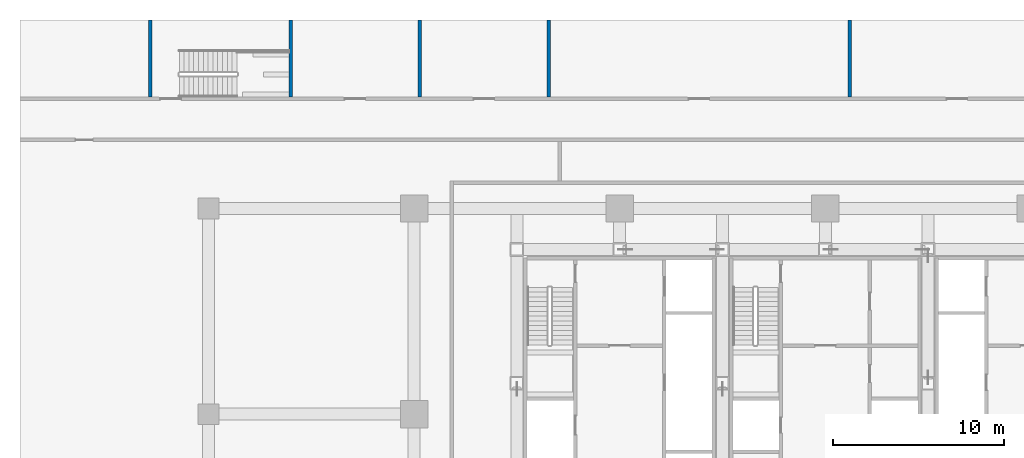
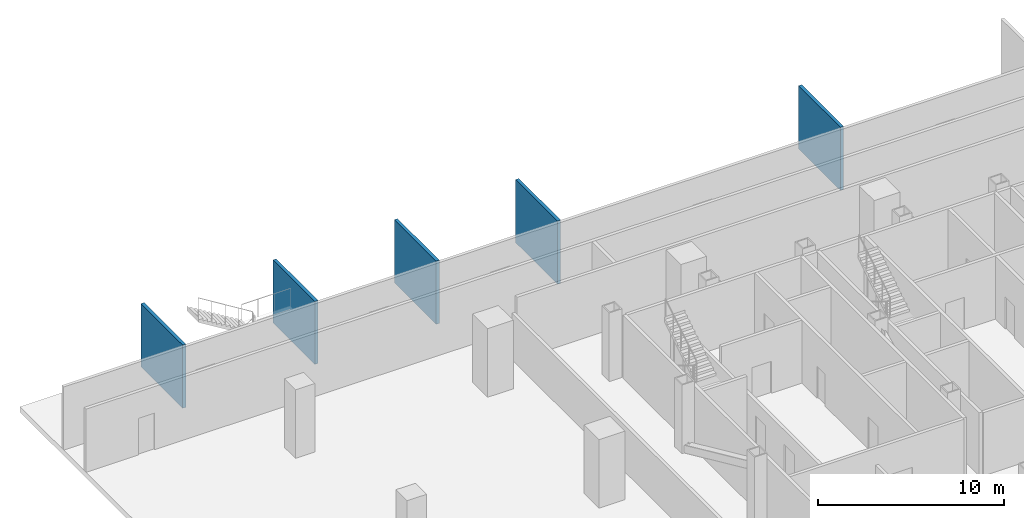
# One storey, part 8 of 15: 5 walls.
"""IFC4 building model written with IfcOpenShell, lengths in metres."""

import ifcopenshell
import ifcopenshell.guid

model = None  # the IFC model being written
_history = None  # IfcOwnerHistory: only IFC2X3 demands one
_inside = {}  # id of a spatial element -> (the spatial element, [elements in it])
_under = {}  # id of a project, library or spatial element -> (it, [spatial elements below it])
_declared = {}  # id of a project -> (the project, [libraries it declares])
_typed = {}  # id of a type object -> (the type object, [elements of that type])
_made_of = {}  # id of a material, layer set ... -> (it, [elements and type objects made of it])


def new_model(schema):
    """Start an empty IFC model of exactly this schema.

    Asked for "IFC4X3", IfcOpenShell would pick the latest addendum, in which some entities
    have other attributes; the version numbers below select the first issue.
    IFC2X3 requires an IfcOwnerHistory on every rooted entity: one is made here for all.
    """
    global model, _history
    if schema == "IFC4X3":
        model = ifcopenshell.file(schema_version=(4, 3, 0, 0))
    else:
        model = ifcopenshell.file(schema=schema)
    _inside.clear()
    _under.clear()
    _declared.clear()
    _typed.clear()
    _made_of.clear()
    _history = None
    if model.schema == "IFC2X3":
        org = make("IfcOrganization", Name="unknown")
        user = make(
            "IfcPersonAndOrganization",
            ThePerson=make("IfcPerson", FamilyName="unknown"),
            TheOrganization=org,
        )
        app = make(
            "IfcApplication",
            ApplicationDeveloper=org,
            Version="unknown",
            ApplicationFullName="unknown",
            ApplicationIdentifier="unknown",
        )
        _history = make(
            "IfcOwnerHistory",
            OwningUser=user,
            OwningApplication=app,
            ChangeAction="ADDED",
            CreationDate=0,
        )
    return model


def make(cls, **values):
    """One entity of the class cls with the attributes given. An attribute that is None is left unset."""
    return model.create_entity(
        cls, **{name: value for name, value in values.items() if value is not None}
    )


def rooted(cls, **values):
    """An entity with a GlobalId (a new one), such as an element, a storey or a relation."""
    return make(cls, GlobalId=ifcopenshell.guid.new(), OwnerHistory=_history, **values)


def si_unit(unit_type, name, prefix=None):
    """IfcSIUnit, for example si_unit("LENGTHUNIT", "METRE", prefix="MILLI")."""
    return make("IfcSIUnit", UnitType=unit_type, Prefix=prefix, Name=name)


def assignment(units):
    """IfcUnitAssignment: the units of a project."""
    return None if units is None else make("IfcUnitAssignment", Units=units)


def point(xyz):
    """IfcCartesianPoint."""
    return None if xyz is None else make("IfcCartesianPoint", Coordinates=xyz)


def direction(xyz):
    """IfcDirection."""
    return None if xyz is None else make("IfcDirection", DirectionRatios=xyz)


def frame(location, z_axis=None, x_axis=None):
    """IfcAxis2Placement3D, a coordinate frame: its origin and axes. An axis left out is left unset."""
    return make(
        "IfcAxis2Placement3D",
        Location=point(location),
        Axis=direction(z_axis),
        RefDirection=direction(x_axis),
    )


def frame_2d(location, x_axis=None):
    """IfcAxis2Placement2D, a coordinate frame in the plane: its origin and x axis."""
    return make(
        "IfcAxis2Placement2D", Location=point(location), RefDirection=direction(x_axis)
    )


def origin():
    """The frame at (0, 0, 0) with its axes left unset."""
    return frame((0.0, 0.0, 0.0))


def place(relative_to, where):
    """IfcLocalPlacement: puts the frame where relative to a parent placement (None: the world)."""
    return make(
        "IfcLocalPlacement", PlacementRelTo=relative_to, RelativePlacement=where
    )


def context(
    kind, dimensions, precision=None, world=None, true_north=None, identifier=None
):
    """IfcGeometricRepresentationContext, for example the 3D "Model" context."""
    return make(
        "IfcGeometricRepresentationContext",
        ContextIdentifier=identifier,
        ContextType=kind,
        CoordinateSpaceDimension=dimensions,
        Precision=precision,
        WorldCoordinateSystem=world,
        TrueNorth=true_north,
    )


def subcontext(parent, identifier, kind, view, scale=None):
    """IfcGeometricRepresentationSubContext, for example "Body" below "Model"."""
    return make(
        "IfcGeometricRepresentationSubContext",
        ContextIdentifier=identifier,
        ContextType=kind,
        ParentContext=parent,
        TargetScale=scale,
        TargetView=view,
    )


def project(units=None, contexts=None):
    """IfcProject with its units and contexts."""
    return rooted(
        "IfcProject",
        Name="project",
        RepresentationContexts=contexts,
        UnitsInContext=assignment(units),
    )


def spatial(cls, under=None, at=None, **own):
    """A site, building, storey or space (cls), placed at a placement, below another one or the project."""
    s = rooted(cls, ObjectPlacement=at, **own)
    if under is not None:
        _under.setdefault(under.id(), (under, []))[1].append(s)
    return s


def profile(cls, at=None, kind="AREA", **sizes):
    """A parametric profile (cls). Its sizes go by their IFC names, for example OverallWidth=200.0."""
    return make(cls, ProfileType=kind, Position=at, **sizes)


def rectangle(**sizes):
    """IfcRectangleProfileDef."""
    return profile("IfcRectangleProfileDef", **sizes)


def extrude(swept, where, along, depth):
    """IfcExtrudedAreaSolid: the profile swept, set in the frame where, extruded along a direction by depth."""
    return make(
        "IfcExtrudedAreaSolid",
        SweptArea=swept,
        Position=where,
        ExtrudedDirection=direction(along),
        Depth=depth,
    )


def shape(context_of_items, identifier, shape_type, items):
    """IfcShapeRepresentation: the items that make up one representation, for example the "Body"."""
    return make(
        "IfcShapeRepresentation",
        ContextOfItems=context_of_items,
        RepresentationIdentifier=identifier,
        RepresentationType=shape_type,
        Items=items,
    )


def material(Name=None, Category=None):
    """IfcMaterial."""
    return make("IfcMaterial", Name=Name, Category=Category)


def layer(
    of_material, thickness, ventilated=None, Name=None, Category=None, Priority=None
):
    """IfcMaterialLayer: one layer of a wall or slab, of a material (None: an air gap)."""
    return make(
        "IfcMaterialLayer",
        Material=of_material,
        LayerThickness=thickness,
        IsVentilated=ventilated,
        Name=Name,
        Category=Category,
        Priority=Priority,
    )


def layer_set(layers, Name=None):
    """IfcMaterialLayerSet."""
    return make("IfcMaterialLayerSet", MaterialLayers=layers, LayerSetName=Name)


def made_of(thing, what):
    """Note that an element or type object is made of a material, layer set ...; save() writes the relation."""
    if what is not None:
        _made_of.setdefault(what.id(), (what, []))[1].append(thing)
    return thing


def type_object(cls, material=None, **own):
    """A type object (cls), such as IfcWallType, which elements share."""
    return made_of(rooted(cls, **own), material)


def element(
    cls,
    number,
    at=None,
    inside=None,
    cuts=None,
    type_object=None,
    material=None,
    context=None,
    identifier="Body",
    shape_type=None,
    held_by="IfcProductDefinitionShape",
    body=None,
    shapes=None,
    **own,
):
    """One element of the class cls, such as IfcWall. Its Tag is "e" and its number.

    at: its placement. inside: the storey or other place that contains it. cuts: it is an
    opening in that element (IfcRelVoidsElement). A single representation is given by context,
    identifier, shape_type and body (its items); several are given by shapes. held_by: the class
    of the entity that holds the representations. save() writes the other relations.
    """
    e = rooted(cls, Tag="e%d" % number, ObjectPlacement=at, **own)
    if body is not None:
        shapes = [shape(context, identifier, shape_type, body)]
    if shapes is not None:
        e.Representation = make(held_by, Representations=shapes)
    if inside is not None:
        _inside.setdefault(inside.id(), (inside, []))[1].append(e)
    if cuts is not None:
        rooted(
            "IfcRelVoidsElement", RelatingBuildingElement=cuts, RelatedOpeningElement=e
        )
    if type_object is not None:
        _typed.setdefault(type_object.id(), (type_object, []))[1].append(e)
    return made_of(e, material)


def aggregate(whole, parts):
    """IfcRelAggregates: a whole, such as a stair, and the parts it consists of."""
    return rooted("IfcRelAggregates", RelatingObject=whole, RelatedObjects=parts)


def save(model, path):
    """Write the relations noted so far, then the file.

    IfcRelAggregates (storeys below a building ...), IfcRelContainedInSpatialStructure (elements
    in a storey), IfcRelDefinesByType, IfcRelAssociatesMaterial and IfcRelDeclares: one each for
    every whole, place, type object, material and project.
    """
    for whole, parts in _under.values():
        aggregate(whole, parts)
    for where, things in _inside.values():
        rooted(
            "IfcRelContainedInSpatialStructure",
            RelatedElements=things,
            RelatingStructure=where,
        )
    for kind, things in _typed.values():
        rooted("IfcRelDefinesByType", RelatedObjects=things, RelatingType=kind)
    for what, things in _made_of.values():
        rooted("IfcRelAssociatesMaterial", RelatedObjects=things, RelatingMaterial=what)
    for by, libraries in _declared.values():
        rooted("IfcRelDeclares", RelatingContext=by, RelatedDefinitions=libraries)
    model.write(path)


model = new_model("IFC4")

# Units and contexts
model_context = context("Model", 3, precision=1e-05, world=origin(), true_north=direction((0.0, 1.0)))
body_context = subcontext(model_context, "Body", "Model", "MODEL_VIEW")
ifc_project = project(units=[si_unit("LENGTHUNIT", "METRE"), si_unit("AREAUNIT", "SQUARE_METRE"), si_unit("VOLUMEUNIT", "CUBIC_METRE"), si_unit("PLANEANGLEUNIT", "RADIAN"), si_unit("MASSUNIT", "GRAM", prefix="KILO")], contexts=[model_context])

# Site, building, storey
site_placement = place(None, origin())
site = spatial("IfcSite", under=ifc_project, at=site_placement, CompositionType="ELEMENT")
building_placement = place(site_placement, origin())
building = spatial("IfcBuilding", under=site, at=building_placement, Name="Sorahane Residences", CompositionType="ELEMENT")
storey_placement = place(building_placement, frame((0.0, 0.0, -4.5)))
storey = spatial("IfcBuildingStorey", under=building, at=storey_placement, Name="B1", CompositionType="ELEMENT", Elevation=-4.5)

# Walls
ifc_material_1 = material(Name="Concrete blockwork C20 wall", Category="masonry")
ifc_layer_1 = layer(ifc_material_1, 0.199951171875)
ifc_layer_set_1 = layer_set([ifc_layer_1], Name="Fire wall 200 EI 120")
wall_type_1 = type_object("IfcWallType", Name="Fire wall 200 EI 120", PredefinedType="SOLIDWALL", material=ifc_layer_set_1)
wall_1_placement = place(storey_placement, frame((-15.39990234375, 54.5, 0.0), z_axis=(0.0, 0.0, 1.0), x_axis=(0.0, 1.0, 0.0)))
element("IfcWall", 1, at=wall_1_placement, inside=storey, type_object=wall_type_1, Name="B1 fire wall", PredefinedType="SOLIDWALL", context=body_context, shape_type="SweptSolid", body=[
    extrude(rectangle(XDim=4.5, YDim=0.199951171875, at=frame_2d((2.25, 0.0))), origin(), (0.0, 0.0, 1.0), 4.139892578125),
])
ifc_material_2 = material(Name="Concrete blockwork C20 wall", Category="masonry")
ifc_layer_2 = layer(ifc_material_2, 0.199951171875)
ifc_layer_set_2 = layer_set([ifc_layer_2], Name="Plant wall 200 EI 120")
wall_type_2 = type_object("IfcWallType", Name="Plant wall 200 EI 120", PredefinedType="SOLIDWALL", material=ifc_layer_set_2)
for number, where, z_axis, x_axis, name in (
    (2, (0.328125, 54.5, 0.0), (0.0, 0.0, 1.0), (0.0, 1.0, 0.0), "B1 plant wall"),
    (3, (7.856201171875, 54.5, 0.0), (0.0, 0.0, 1.0), (0.0, 1.0, 0.0), "B1 plant wall"),
    (4, (25.421875, 54.5, 0.0), (0.0, 0.0, 1.0), (0.0, 1.0, 0.0), "B1 plant wall"),
):
    element("IfcWall", number, at=place(storey_placement, frame(where, z_axis=z_axis, x_axis=x_axis)), inside=storey, type_object=wall_type_2, Name=name, PredefinedType="SOLIDWALL", context=body_context, shape_type="SweptSolid", body=[
        extrude(rectangle(XDim=4.5, YDim=0.199951171875, at=frame_2d((2.25, 0.0))), origin(), (0.0, 0.0, 1.0), 4.139892578125),
    ])
ifc_material_3 = material(Name="Concrete C30", Category="concrete")
ifc_layer_3 = layer(ifc_material_3, 0.199951171875)
ifc_layer_set_3 = layer_set([ifc_layer_3], Name="Stair enclosure wall 200 EI 120")
wall_type_3 = type_object("IfcWallType", Name="Stair enclosure wall 200 EI 120", PredefinedType="SOLIDWALL", material=ifc_layer_set_3)
wall_2_placement = place(storey_placement, frame((-7.199951171875, 54.5, 0.0), z_axis=(0.0, 0.0, 1.0), x_axis=(0.0, 1.0, 0.0)))
element("IfcWall", 5, at=wall_2_placement, inside=storey, type_object=wall_type_3, Name="B1 fire wall", PredefinedType="SOLIDWALL", context=body_context, shape_type="SweptSolid", body=[
    extrude(rectangle(XDim=4.5, YDim=0.199951171875, at=frame_2d((2.25, 0.0))), origin(), (0.0, 0.0, 1.0), 4.139892578125),
])

save(model, "model.ifc")
